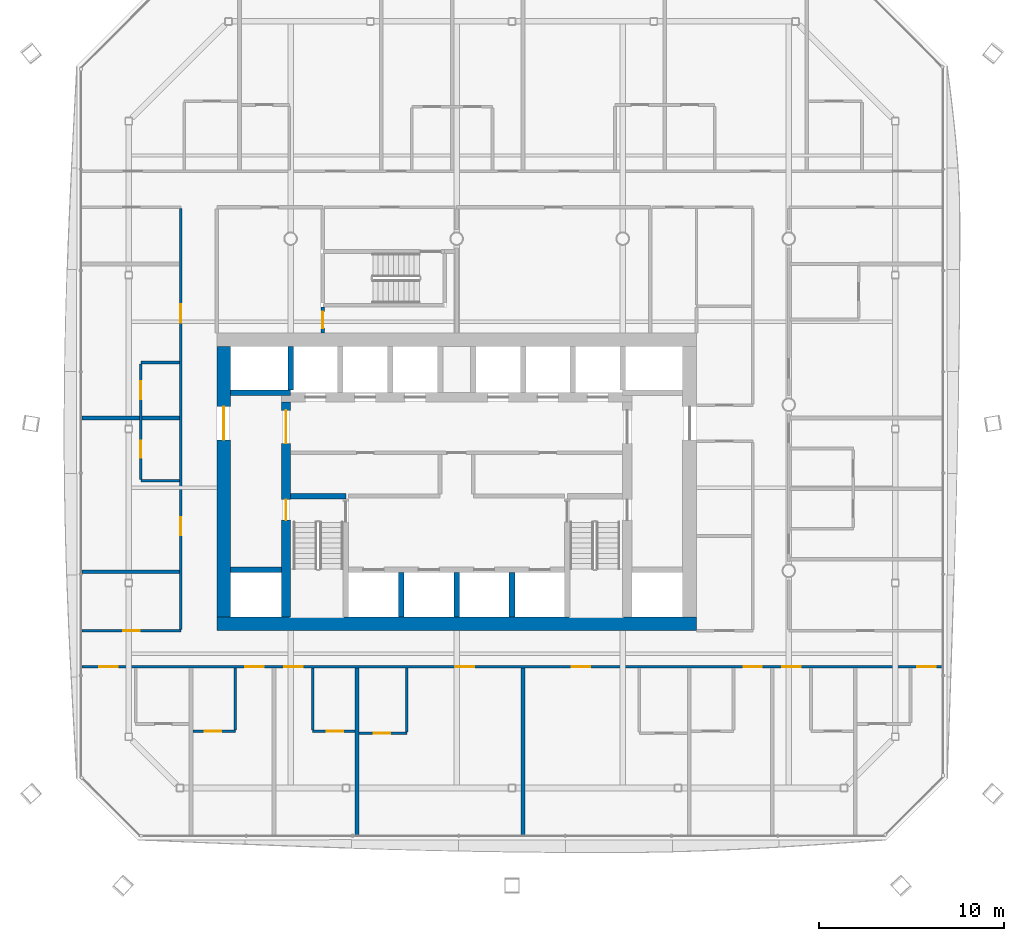
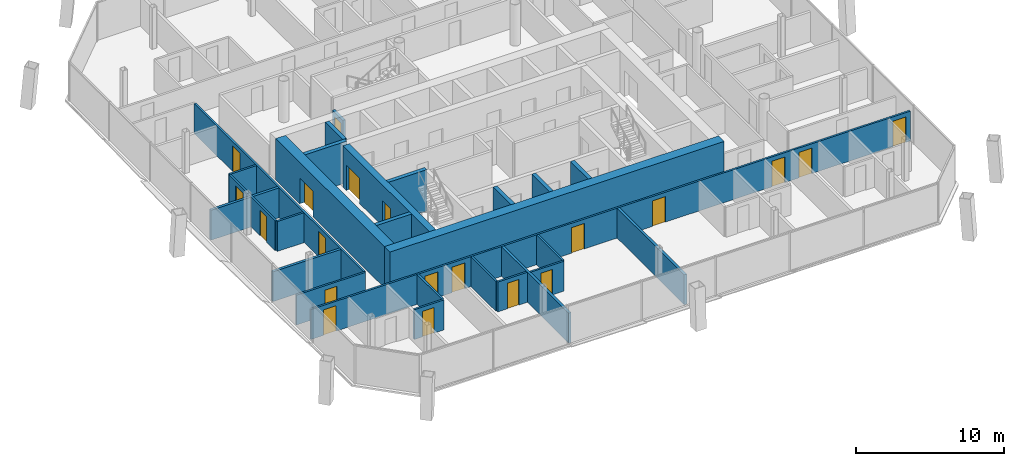
# One storey, part 12 of 21: 27 walls, 20 doors, 20 openings.
"""IFC4 building model written with IfcOpenShell, lengths in metres."""

from ifc_helpers import new_model, si_unit, direction, frame, frame_2d, origin, place, context, subcontext, project, spatial, rectangle, extrude, material, layer, layer_set, type_object, element, fill, save


model = new_model("IFC4")

# Units and contexts
model_context = context("Model", 3, precision=1e-05, world=origin(), true_north=direction((0.0, 1.0)))
body_context = subcontext(model_context, "Body", "Model", "MODEL_VIEW")
ifc_project = project(units=[si_unit("LENGTHUNIT", "METRE"), si_unit("AREAUNIT", "SQUARE_METRE"), si_unit("VOLUMEUNIT", "CUBIC_METRE"), si_unit("PLANEANGLEUNIT", "RADIAN"), si_unit("MASSUNIT", "GRAM", prefix="KILO")], contexts=[model_context])

# Site, building, storey
site_placement = place(None, origin())
site = spatial("IfcSite", under=ifc_project, at=site_placement, CompositionType="ELEMENT")
building_placement = place(site_placement, origin())
building = spatial("IfcBuilding", under=site, at=building_placement, Name="Tskaro Facet Tower", CompositionType="ELEMENT")
storey_placement = place(building_placement, frame((0.0, 0.0, 128.300048828125)))
storey = spatial("IfcBuildingStorey", under=building, at=storey_placement, Name="L30", CompositionType="ELEMENT", Elevation=128.300048828125)

# Walls
ifc_material_1 = material(Name="Concrete C60/75", Category="concrete")
ifc_layer_1 = layer(ifc_material_1, 0.300048828125, Name="Concrete C60/75")
ifc_layer_set_1 = layer_set([ifc_layer_1], Name="Concrete C60/75")
wall_type_1 = type_object("IfcWallType", Name="CORE-SHAFT", PredefinedType="SHEAR", material=ifc_layer_set_1)
wall_1_placement = place(storey_placement, frame((-12.25, -8.949951171875, 0.0), z_axis=(0.0, 0.0, 1.0), x_axis=(1.0, 0.0, 0.0)))
element("IfcWall", 1, at=wall_1_placement, inside=storey, type_object=wall_type_1, Name="Shaft wall W014", PredefinedType="SHEAR", context=body_context, shape_type="SweptSolid", body=[
    extrude(rectangle(XDim=2.75, YDim=0.300048828125, at=frame_2d((1.375, 0.0))), origin(), (0.0, 0.0, 1.0), 3.39990234375),
])
wall_2_placement = place(storey_placement, frame((-9.0, -4.949951171875, 0.0), z_axis=(0.0, 0.0, 1.0), x_axis=(1.0, 0.0, 0.0)))
element("IfcWall", 2, at=wall_2_placement, inside=storey, type_object=wall_type_1, Name="Shaft wall W020", PredefinedType="SHEAR", context=body_context, shape_type="SweptSolid", body=[
    extrude(rectangle(XDim=3.0, YDim=0.300048828125, at=frame_2d((1.5, 0.0))), origin(), (0.0, 0.0, 1.0), 3.39990234375),
])
wall_3_placement = place(storey_placement, frame((-9.0, 0.64990234375, 0.0), z_axis=(0.0, 0.0, 1.0), x_axis=(-1.0, 0.0, 0.0)))
element("IfcWall", 3, at=wall_3_placement, inside=storey, type_object=wall_type_1, Name="Shaft wall W032", PredefinedType="SHEAR", context=body_context, shape_type="SweptSolid", body=[
    extrude(rectangle(XDim=3.25, YDim=0.300048828125, at=frame_2d((1.625, 0.0))), origin(), (0.0, 0.0, 1.0), 3.39990234375),
])
wall_4_placement = place(storey_placement, frame((-9.0, 0.800048828125, 0.0), z_axis=(0.0, 0.0, 1.0), x_axis=(0.0, 1.0, 0.0)))
element("IfcWall", 4, at=wall_4_placement, inside=storey, type_object=wall_type_1, Name="Shaft wall W065", PredefinedType="SHEAR", context=body_context, shape_type="SweptSolid", body=[
    extrude(rectangle(XDim=2.349853515625, YDim=0.300048828125, at=frame_2d((1.1748046875, 0.0))), origin(), (0.0, 0.0, 1.0), 3.39990234375),
])
for number, where, z_axis, x_axis, name in (
    (5, (-3.0, -11.5, 0.0), (0.0, 0.0, 1.0), (0.0, 1.0, 0.0), "Shaft wall W075"),
    (6, (0.0, -11.5, 0.0), (0.0, 0.0, 1.0), (0.0, 1.0, 0.0), "Shaft wall W082"),
    (7, (3.0, -11.5, 0.0), (0.0, 0.0, 1.0), (0.0, 1.0, 0.0), "Shaft wall W088"),
):
    element("IfcWall", number, at=place(storey_placement, frame(where, z_axis=z_axis, x_axis=x_axis)), inside=storey, type_object=wall_type_1, Name=name, PredefinedType="SHEAR", context=body_context, shape_type="SweptSolid", body=[
        extrude(rectangle(XDim=2.39990234375, YDim=0.300048828125, at=frame_2d((1.199951171875, 0.0))), origin(), (0.0, 0.0, 1.0), 3.39990234375),
    ])

# Wall, openings, doors
ifc_material_2 = material(Name="Concrete C40/50", Category="concrete")
ifc_layer_2 = layer(ifc_material_2, 0.5, Name="Concrete C40/50")
ifc_layer_set_2 = layer_set([ifc_layer_2], Name="Concrete C40/50")
wall_type_2 = type_object("IfcWallType", Name="Core wall 500", PredefinedType="SHEAR", material=ifc_layer_set_2)
wall_5_placement = place(storey_placement, frame((-9.25, -11.5, 0.0), z_axis=(0.0, 0.0, 1.0), x_axis=(0.0, 1.0, 0.0)))
wall_5 = element("IfcWall", 8, at=wall_5_placement, inside=storey, type_object=wall_type_2, Name="Core wall CW-Z3W", PredefinedType="SHEAR", context=body_context, shape_type="SweptSolid", body=[
    extrude(rectangle(XDim=11.64990234375, YDim=0.5, at=frame_2d((5.824951171875, 0.0))), origin(), (0.0, 0.0, 1.0), 3.39990234375),
])
opening_1_placement = place(wall_5_placement, frame((9.39990234375, 0.0, 0.0)))
opening_1 = element("IfcOpeningElement", 9, at=opening_1_placement, cuts=wall_5, Name="Opening T8-D31", PredefinedType="OPENING", context=body_context, shape_type="SweptSolid", body=[
    extrude(rectangle(XDim=1.800048828125, YDim=2.10009765625, at=frame_2d((0.89990234375, 1.050048828125))), frame((0.0, 0.260009765625, 0.0), z_axis=(0.0, -1.0, 0.0), x_axis=(1.0, 0.0, 0.0)), (0.0, 0.0, 1.0), 0.52001953125),
])
opening_2_placement = place(wall_5_placement, frame((5.25, 0.0, 0.0)))
opening_2 = element("IfcOpeningElement", 10, at=opening_2_placement, cuts=wall_5, Name="Opening ST-1-D2", PredefinedType="OPENING", context=body_context, shape_type="SweptSolid", body=[
    extrude(rectangle(XDim=1.10009765625, YDim=2.10009765625, at=frame_2d((0.550048828125, 1.050048828125))), frame((0.0, 0.260009765625, 0.0), z_axis=(0.0, -1.0, 0.0), x_axis=(1.0, 0.0, 0.0)), (0.0, 0.0, 1.0), 0.52001953125),
])
ifc_material_3 = material(Name="Steel", Category="steel")
door_type_1 = type_object("IfcDoorType", Name="D-CORE-PAIR", OperationType="NOTDEFINED", PredefinedType="DOOR", material=ifc_material_3)
door_1_placement = place(opening_1_placement, origin())
door_1 = element("IfcDoor", 11, at=door_1_placement, inside=storey, type_object=door_type_1, Name="Door T8-D31", OperationType="DOUBLE_DOOR_SINGLE_SWING", OverallHeight=2.10009765625, OverallWidth=1.800048828125, PredefinedType="DOOR", context=body_context, shape_type="SweptSolid", body=[
    extrude(rectangle(XDim=1.800048828125, YDim=2.10009765625, at=frame_2d((0.89990234375, 1.050048828125))), frame((0.0, 0.02490234375, 0.0), z_axis=(0.0, -1.0, 0.0), x_axis=(1.0, 0.0, 0.0)), (0.0, 0.0, 1.0), 0.050048828125),
])
fill(opening_1, door_1)
door_type_2 = type_object("IfcDoorType", Name="D-STAIR", OperationType="NOTDEFINED", PredefinedType="DOOR", material=ifc_material_3)
door_2_placement = place(opening_2_placement, origin())
door_2 = element("IfcDoor", 12, at=door_2_placement, inside=storey, type_object=door_type_2, Name="Stair door 1 west", OperationType="SINGLE_SWING_LEFT", OverallHeight=2.10009765625, OverallWidth=1.10009765625, PredefinedType="DOOR", context=body_context, shape_type="SweptSolid", body=[
    extrude(rectangle(XDim=1.10009765625, YDim=2.10009765625, at=frame_2d((0.550048828125, 1.050048828125))), frame((0.0, 0.02490234375, 0.0), z_axis=(0.0, -1.0, 0.0), x_axis=(1.0, 0.0, 0.0)), (0.0, 0.0, 1.0), 0.050048828125),
])
fill(opening_2, door_2)

# Wall
ifc_material_4 = material(Name="Concrete C50/60", Category="concrete")
ifc_layer_3 = layer(ifc_material_4, 0.75, Name="Concrete C50/60")
ifc_layer_set_3 = layer_set([ifc_layer_3], Name="Concrete C50/60")
wall_type_3 = type_object("IfcWallType", Name="Core wall 750", PredefinedType="SHEAR", material=ifc_layer_set_3)
wall_6_placement = place(storey_placement, frame((-13.0, -11.875, 0.0), z_axis=(0.0, 0.0, 1.0), x_axis=(1.0, 0.0, 0.0)))
element("IfcWall", 13, at=wall_6_placement, inside=storey, type_object=wall_type_3, Name="Core wall CW-Z2S", PredefinedType="SHEAR", context=body_context, shape_type="SweptSolid", body=[
    extrude(rectangle(XDim=26.0, YDim=0.75, at=frame_2d((13.0, 0.0))), origin(), (0.0, 0.0, 1.0), 3.39990234375),
])

# Wall, opening, door
wall_7_placement = place(storey_placement, frame((-12.625, -11.5, 0.0), z_axis=(0.0, 0.0, 1.0), x_axis=(0.0, 1.0, 0.0)))
wall_7 = element("IfcWall", 14, at=wall_7_placement, inside=storey, type_object=wall_type_3, Name="Core wall CW-Z2W", PredefinedType="SHEAR", context=body_context, shape_type="SweptSolid", body=[
    extrude(rectangle(XDim=14.64990234375, YDim=0.75, at=frame_2d((7.324951171875, 0.0))), origin(), (0.0, 0.0, 1.0), 3.39990234375),
])
opening_3_placement = place(wall_7_placement, frame((9.60009765625, 0.0, 0.0)))
opening_3 = element("IfcOpeningElement", 15, at=opening_3_placement, cuts=wall_7, Name="Opening T8-D33", PredefinedType="OPENING", context=body_context, shape_type="SweptSolid", body=[
    extrude(rectangle(XDim=1.800048828125, YDim=2.10009765625, at=frame_2d((0.89990234375, 1.050048828125))), frame((0.0, 0.385009765625, 0.0), z_axis=(0.0, -1.0, 0.0), x_axis=(1.0, 0.0, 0.0)), (0.0, 0.0, 1.0), 0.77001953125),
])
door_3_placement = place(opening_3_placement, origin())
door_3 = element("IfcDoor", 16, at=door_3_placement, inside=storey, type_object=door_type_1, Name="Door T8-D33", OperationType="DOUBLE_DOOR_SINGLE_SWING", OverallHeight=2.10009765625, OverallWidth=1.800048828125, PredefinedType="DOOR", context=body_context, shape_type="SweptSolid", body=[
    extrude(rectangle(XDim=1.800048828125, YDim=2.10009765625, at=frame_2d((0.89990234375, 1.050048828125))), frame((0.0, 0.02490234375, 0.0), z_axis=(0.0, -1.0, 0.0), x_axis=(1.0, 0.0, 0.0)), (0.0, 0.0, 1.0), 0.050048828125),
])
fill(opening_3, door_3)

ifc_material_5 = material(Name="Gypsum board on steel studs", Category="steel")
ifc_layer_4 = layer(ifc_material_5, 0.14990234375, Name="Gypsum board on steel studs")
ifc_layer_set_4 = layer_set([ifc_layer_4], Name="Gypsum board on steel studs")
wall_type_4 = type_object("IfcWallType", Name="PART-CORR", PredefinedType="PARTITIONING", material=ifc_layer_set_4)
wall_8_placement = place(storey_placement, frame((-5.300048828125, -17.800048828125, 0.0), z_axis=(0.0, 0.0, 1.0), x_axis=(1.0, 0.0, 0.0)))
wall_8 = element("IfcWall", 17, at=wall_8_placement, inside=storey, type_object=wall_type_4, Name="Corridor wall W001", PredefinedType="PARTITIONING", context=body_context, shape_type="SweptSolid", body=[
    extrude(rectangle(XDim=2.60009765625, YDim=0.14990234375, at=frame_2d((1.300048828125, 0.0))), origin(), (0.0, 0.0, 1.0), 2.4599609375),
])
opening_4_placement = place(wall_8_placement, frame((0.800048828125, 0.0, 0.0)))
opening_4 = element("IfcOpeningElement", 18, at=opening_4_placement, cuts=wall_8, Name="Opening T8-D01", PredefinedType="OPENING", context=body_context, shape_type="SweptSolid", body=[
    extrude(rectangle(XDim=0.89990234375, YDim=2.10009765625, at=frame_2d((0.449951171875, 1.050048828125))), frame((0.0, 0.0849609375, 0.0), z_axis=(0.0, -1.0, 0.0), x_axis=(1.0, 0.0, 0.0)), (0.0, 0.0, 1.0), 0.169921875),
])
ifc_material_6 = material(Name="Timber", Category="wood")
door_type_3 = type_object("IfcDoorType", Name="D-ROOM", OperationType="NOTDEFINED", PredefinedType="DOOR", material=ifc_material_6)
door_4_placement = place(opening_4_placement, origin())
door_4 = element("IfcDoor", 19, at=door_4_placement, inside=storey, type_object=door_type_3, Name="Door T8-D01", OperationType="SINGLE_SWING_LEFT", OverallHeight=2.10009765625, OverallWidth=0.89990234375, PredefinedType="DOOR", context=body_context, shape_type="SweptSolid", body=[
    extrude(rectangle(XDim=0.89990234375, YDim=2.10009765625, at=frame_2d((0.449951171875, 1.050048828125))), frame((0.0, 0.02490234375, 0.0), z_axis=(0.0, -1.0, 0.0), x_axis=(1.0, 0.0, 0.0)), (0.0, 0.0, 1.0), 0.050048828125),
])
fill(opening_4, door_4)

wall_9_placement = place(storey_placement, frame((-14.299072265625, -17.699951171875, 0.0), z_axis=(0.0, 0.0, 1.0), x_axis=(1.0, 0.0, 0.0)))
wall_9 = element("IfcWall", 20, at=wall_9_placement, inside=storey, type_object=wall_type_4, Name="Corridor wall W003", PredefinedType="PARTITIONING", context=body_context, shape_type="SweptSolid", body=[
    extrude(rectangle(XDim=2.300048828125, YDim=0.14990234375, at=frame_2d((1.14990234375, 0.0))), origin(), (0.0, 0.0, 1.0), 2.4599609375),
])
opening_5_placement = place(wall_9_placement, frame((0.64990234375, 0.0, 0.0)))
opening_5 = element("IfcOpeningElement", 21, at=opening_5_placement, cuts=wall_9, Name="Opening T8-D03", PredefinedType="OPENING", context=body_context, shape_type="SweptSolid", body=[
    extrude(rectangle(XDim=0.89990234375, YDim=2.10009765625, at=frame_2d((0.449951171875, 1.050048828125))), frame((0.0, 0.0849609375, 0.0), z_axis=(0.0, -1.0, 0.0), x_axis=(1.0, 0.0, 0.0)), (0.0, 0.0, 1.0), 0.169921875),
])
door_5_placement = place(opening_5_placement, origin())
door_5 = element("IfcDoor", 22, at=door_5_placement, inside=storey, type_object=door_type_3, Name="Door T8-D03", OperationType="SINGLE_SWING_LEFT", OverallHeight=2.10009765625, OverallWidth=0.89990234375, PredefinedType="DOOR", context=body_context, shape_type="SweptSolid", body=[
    extrude(rectangle(XDim=0.89990234375, YDim=2.10009765625, at=frame_2d((0.449951171875, 1.050048828125))), frame((0.0, 0.02490234375, 0.0), z_axis=(0.0, -1.0, 0.0), x_axis=(1.0, 0.0, 0.0)), (0.0, 0.0, 1.0), 0.050048828125),
])
fill(opening_5, door_5)

wall_10_placement = place(storey_placement, frame((-7.800048828125, -17.699951171875, 0.0), z_axis=(0.0, 0.0, 1.0), x_axis=(1.0, 0.0, 0.0)))
wall_10 = element("IfcWall", 23, at=wall_10_placement, inside=storey, type_object=wall_type_4, Name="Corridor wall W004", PredefinedType="PARTITIONING", context=body_context, shape_type="SweptSolid", body=[
    extrude(rectangle(XDim=2.300048828125, YDim=0.14990234375, at=frame_2d((1.14990234375, 0.0))), origin(), (0.0, 0.0, 1.0), 2.4599609375),
])
opening_6_placement = place(wall_10_placement, frame((0.75, 0.0, 0.0)))
opening_6 = element("IfcOpeningElement", 24, at=opening_6_placement, cuts=wall_10, Name="Opening T8-D04", PredefinedType="OPENING", context=body_context, shape_type="SweptSolid", body=[
    extrude(rectangle(XDim=0.89990234375, YDim=2.10009765625, at=frame_2d((0.449951171875, 1.050048828125))), frame((0.0, 0.0849609375, 0.0), z_axis=(0.0, -1.0, 0.0), x_axis=(1.0, 0.0, 0.0)), (0.0, 0.0, 1.0), 0.169921875),
])
door_6_placement = place(opening_6_placement, origin())
door_6 = element("IfcDoor", 25, at=door_6_placement, inside=storey, type_object=door_type_3, Name="Door T8-D04", OperationType="SINGLE_SWING_LEFT", OverallHeight=2.10009765625, OverallWidth=0.89990234375, PredefinedType="DOOR", context=body_context, shape_type="SweptSolid", body=[
    extrude(rectangle(XDim=0.89990234375, YDim=2.10009765625, at=frame_2d((0.449951171875, 1.050048828125))), frame((0.0, 0.02490234375, 0.0), z_axis=(0.0, -1.0, 0.0), x_axis=(1.0, 0.0, 0.0)), (0.0, 0.0, 1.0), 0.050048828125),
])
fill(opening_6, door_6)

# Wall, openings, doors
wall_11_placement = place(storey_placement, frame((26.31689453125, -14.199951171875, 0.0), z_axis=(0.0, 0.0, 1.0), x_axis=(-1.0, 0.0, 0.0)))
wall_11 = element("IfcWall", 26, at=wall_11_placement, inside=storey, type_object=wall_type_4, Name="Corridor wall W009", PredefinedType="PARTITIONING", context=body_context, shape_type="SweptSolid", body=[
    extrude(rectangle(XDim=46.6337890625, YDim=0.14990234375, at=frame_2d((23.31689453125, 0.0))), origin(), (0.0, 0.0, 1.0), 2.4599609375),
])
opening_7_placement = place(wall_11_placement, frame((44.675048828125, 0.0, 0.0)))
opening_7 = element("IfcOpeningElement", 27, at=opening_7_placement, cuts=wall_11, Name="Opening T8-D09", PredefinedType="OPENING", context=body_context, shape_type="SweptSolid", body=[
    extrude(rectangle(XDim=1.0, YDim=2.10009765625, at=frame_2d((0.5, 1.050048828125))), frame((0.0, 0.0849609375, 0.0), z_axis=(0.0, -1.0, 0.0), x_axis=(1.0, 0.0, 0.0)), (0.0, 0.0, 1.0), 0.169921875),
])
opening_8_placement = place(wall_11_placement, frame((36.76611328125, 0.0, 0.0)))
opening_8 = element("IfcOpeningElement", 28, at=opening_8_placement, cuts=wall_11, Name="Opening T8-D10", PredefinedType="OPENING", context=body_context, shape_type="SweptSolid", body=[
    extrude(rectangle(XDim=1.0, YDim=2.10009765625, at=frame_2d((0.5, 1.050048828125))), frame((0.0, 0.0849609375, 0.0), z_axis=(0.0, -1.0, 0.0), x_axis=(1.0, 0.0, 0.0)), (0.0, 0.0, 1.0), 0.169921875),
])
opening_9_placement = place(wall_11_placement, frame((34.66650390625, 0.0, 0.0)))
opening_9 = element("IfcOpeningElement", 29, at=opening_9_placement, cuts=wall_11, Name="Opening T8-D11", PredefinedType="OPENING", context=body_context, shape_type="SweptSolid", body=[
    extrude(rectangle(XDim=1.0, YDim=2.10009765625, at=frame_2d((0.5, 1.050048828125))), frame((0.0, 0.0849609375, 0.0), z_axis=(0.0, -1.0, 0.0), x_axis=(1.0, 0.0, 0.0)), (0.0, 0.0, 1.0), 0.169921875),
])
opening_10_placement = place(wall_11_placement, frame((25.366943359375, 0.0, 0.0)))
opening_10 = element("IfcOpeningElement", 30, at=opening_10_placement, cuts=wall_11, Name="Opening T8-D12", PredefinedType="OPENING", context=body_context, shape_type="SweptSolid", body=[
    extrude(rectangle(XDim=1.0, YDim=2.10009765625, at=frame_2d((0.5, 1.050048828125))), frame((0.0, 0.0849609375, 0.0), z_axis=(0.0, -1.0, 0.0), x_axis=(1.0, 0.0, 0.0)), (0.0, 0.0, 1.0), 0.169921875),
])
opening_11_placement = place(wall_11_placement, frame((19.06689453125, 0.0, 0.0)))
opening_11 = element("IfcOpeningElement", 31, at=opening_11_placement, cuts=wall_11, Name="Opening T8-D13", PredefinedType="OPENING", context=body_context, shape_type="SweptSolid", body=[
    extrude(rectangle(XDim=1.0, YDim=2.10009765625, at=frame_2d((0.5, 1.050048828125))), frame((0.0, 0.0849609375, 0.0), z_axis=(0.0, -1.0, 0.0), x_axis=(1.0, 0.0, 0.0)), (0.0, 0.0, 1.0), 0.169921875),
])
opening_12_placement = place(wall_11_placement, frame((9.767578125, 0.0, 0.0)))
opening_12 = element("IfcOpeningElement", 32, at=opening_12_placement, cuts=wall_11, Name="Opening T8-D14", PredefinedType="OPENING", context=body_context, shape_type="SweptSolid", body=[
    extrude(rectangle(XDim=1.0, YDim=2.10009765625, at=frame_2d((0.5, 1.050048828125))), frame((0.0, 0.0849609375, 0.0), z_axis=(0.0, -1.0, 0.0), x_axis=(1.0, 0.0, 0.0)), (0.0, 0.0, 1.0), 0.169921875),
])
opening_13_placement = place(wall_11_placement, frame((7.66796875, 0.0, 0.0)))
opening_13 = element("IfcOpeningElement", 33, at=opening_13_placement, cuts=wall_11, Name="Opening T8-D15", PredefinedType="OPENING", context=body_context, shape_type="SweptSolid", body=[
    extrude(rectangle(XDim=1.0, YDim=2.10009765625, at=frame_2d((0.5, 1.050048828125))), frame((0.0, 0.0849609375, 0.0), z_axis=(0.0, -1.0, 0.0), x_axis=(1.0, 0.0, 0.0)), (0.0, 0.0, 1.0), 0.169921875),
])
opening_14_placement = place(wall_11_placement, frame((0.35888671875, 0.0, 0.0)))
opening_14 = element("IfcOpeningElement", 34, at=opening_14_placement, cuts=wall_11, Name="Opening T8-D16", PredefinedType="OPENING", context=body_context, shape_type="SweptSolid", body=[
    extrude(rectangle(XDim=1.0, YDim=2.10009765625, at=frame_2d((0.5, 1.050048828125))), frame((0.0, 0.0849609375, 0.0), z_axis=(0.0, -1.0, 0.0), x_axis=(1.0, 0.0, 0.0)), (0.0, 0.0, 1.0), 0.169921875),
])
door_type_4 = type_object("IfcDoorType", Name="D-ENTRY", OperationType="NOTDEFINED", PredefinedType="DOOR", material=ifc_material_6)
door_7_placement = place(opening_7_placement, origin())
door_7 = element("IfcDoor", 35, at=door_7_placement, inside=storey, type_object=door_type_4, Name="Door T8-D09", OperationType="SINGLE_SWING_LEFT", OverallHeight=2.10009765625, OverallWidth=1.0, PredefinedType="DOOR", context=body_context, shape_type="SweptSolid", body=[
    extrude(rectangle(XDim=1.0, YDim=2.10009765625, at=frame_2d((0.5, 1.050048828125))), frame((0.0, 0.02490234375, 0.0), z_axis=(0.0, -1.0, 0.0), x_axis=(1.0, 0.0, 0.0)), (0.0, 0.0, 1.0), 0.050048828125),
])
fill(opening_7, door_7)
door_8_placement = place(opening_8_placement, origin())
door_8 = element("IfcDoor", 36, at=door_8_placement, inside=storey, type_object=door_type_4, Name="Door T8-D10", OperationType="SINGLE_SWING_RIGHT", OverallHeight=2.10009765625, OverallWidth=1.0, PredefinedType="DOOR", context=body_context, shape_type="SweptSolid", body=[
    extrude(rectangle(XDim=1.0, YDim=2.10009765625, at=frame_2d((0.5, 1.050048828125))), frame((0.0, 0.02490234375, 0.0), z_axis=(0.0, -1.0, 0.0), x_axis=(1.0, 0.0, 0.0)), (0.0, 0.0, 1.0), 0.050048828125),
])
fill(opening_8, door_8)
door_9_placement = place(opening_9_placement, origin())
door_9 = element("IfcDoor", 37, at=door_9_placement, inside=storey, type_object=door_type_4, Name="Door T8-D11", OperationType="SINGLE_SWING_RIGHT", OverallHeight=2.10009765625, OverallWidth=1.0, PredefinedType="DOOR", context=body_context, shape_type="SweptSolid", body=[
    extrude(rectangle(XDim=1.0, YDim=2.10009765625, at=frame_2d((0.5, 1.050048828125))), frame((0.0, 0.02490234375, 0.0), z_axis=(0.0, -1.0, 0.0), x_axis=(1.0, 0.0, 0.0)), (0.0, 0.0, 1.0), 0.050048828125),
])
fill(opening_9, door_9)
door_10_placement = place(opening_10_placement, origin())
door_10 = element("IfcDoor", 38, at=door_10_placement, inside=storey, type_object=door_type_4, Name="Door T8-D12", OperationType="SINGLE_SWING_LEFT", OverallHeight=2.10009765625, OverallWidth=1.0, PredefinedType="DOOR", context=body_context, shape_type="SweptSolid", body=[
    extrude(rectangle(XDim=1.0, YDim=2.10009765625, at=frame_2d((0.5, 1.050048828125))), frame((0.0, 0.02490234375, 0.0), z_axis=(0.0, -1.0, 0.0), x_axis=(1.0, 0.0, 0.0)), (0.0, 0.0, 1.0), 0.050048828125),
])
fill(opening_10, door_10)
door_11_placement = place(opening_11_placement, origin())
door_11 = element("IfcDoor", 39, at=door_11_placement, inside=storey, type_object=door_type_4, Name="Door T8-D13", OperationType="SINGLE_SWING_LEFT", OverallHeight=2.10009765625, OverallWidth=1.0, PredefinedType="DOOR", context=body_context, shape_type="SweptSolid", body=[
    extrude(rectangle(XDim=1.0, YDim=2.10009765625, at=frame_2d((0.5, 1.050048828125))), frame((0.0, 0.02490234375, 0.0), z_axis=(0.0, -1.0, 0.0), x_axis=(1.0, 0.0, 0.0)), (0.0, 0.0, 1.0), 0.050048828125),
])
fill(opening_11, door_11)
door_12_placement = place(opening_12_placement, origin())
door_12 = element("IfcDoor", 40, at=door_12_placement, inside=storey, type_object=door_type_4, Name="Door T8-D14", OperationType="SINGLE_SWING_RIGHT", OverallHeight=2.10009765625, OverallWidth=1.0, PredefinedType="DOOR", context=body_context, shape_type="SweptSolid", body=[
    extrude(rectangle(XDim=1.0, YDim=2.10009765625, at=frame_2d((0.5, 1.050048828125))), frame((0.0, 0.02490234375, 0.0), z_axis=(0.0, -1.0, 0.0), x_axis=(1.0, 0.0, 0.0)), (0.0, 0.0, 1.0), 0.050048828125),
])
fill(opening_12, door_12)
door_13_placement = place(opening_13_placement, origin())
door_13 = element("IfcDoor", 41, at=door_13_placement, inside=storey, type_object=door_type_4, Name="Door T8-D15", OperationType="SINGLE_SWING_RIGHT", OverallHeight=2.10009765625, OverallWidth=1.0, PredefinedType="DOOR", context=body_context, shape_type="SweptSolid", body=[
    extrude(rectangle(XDim=1.0, YDim=2.10009765625, at=frame_2d((0.5, 1.050048828125))), frame((0.0, 0.02490234375, 0.0), z_axis=(0.0, -1.0, 0.0), x_axis=(1.0, 0.0, 0.0)), (0.0, 0.0, 1.0), 0.050048828125),
])
fill(opening_13, door_13)
door_14_placement = place(opening_14_placement, origin())
door_14 = element("IfcDoor", 42, at=door_14_placement, inside=storey, type_object=door_type_4, Name="Door T8-D16", OperationType="SINGLE_SWING_LEFT", OverallHeight=2.10009765625, OverallWidth=1.0, PredefinedType="DOOR", context=body_context, shape_type="SweptSolid", body=[
    extrude(rectangle(XDim=1.0, YDim=2.10009765625, at=frame_2d((0.5, 1.050048828125))), frame((0.0, 0.02490234375, 0.0), z_axis=(0.0, -1.0, 0.0), x_axis=(1.0, 0.0, 0.0)), (0.0, 0.0, 1.0), 0.050048828125),
])
fill(opening_14, door_14)

# Wall, opening, door
wall_12_placement = place(storey_placement, frame((-20.31689453125, -12.25, 0.0), z_axis=(0.0, 0.0, 1.0), x_axis=(1.0, 0.0, 0.0)))
wall_12 = element("IfcWall", 43, at=wall_12_placement, inside=storey, type_object=wall_type_4, Name="Corridor wall W010", PredefinedType="PARTITIONING", context=body_context, shape_type="SweptSolid", body=[
    extrude(rectangle(XDim=5.366943359375, YDim=0.14990234375, at=frame_2d((2.68359375, 0.0))), origin(), (0.0, 0.0, 1.0), 2.4599609375),
])
opening_15_placement = place(wall_12_placement, frame((2.2333984375, 0.0, 0.0)))
opening_15 = element("IfcOpeningElement", 44, at=opening_15_placement, cuts=wall_12, Name="Opening T8-D17", PredefinedType="OPENING", context=body_context, shape_type="SweptSolid", body=[
    extrude(rectangle(XDim=0.89990234375, YDim=2.10009765625, at=frame_2d((0.449951171875, 1.050048828125))), frame((0.0, 0.0849609375, 0.0), z_axis=(0.0, -1.0, 0.0), x_axis=(1.0, 0.0, 0.0)), (0.0, 0.0, 1.0), 0.169921875),
])
door_15_placement = place(opening_15_placement, origin())
door_15 = element("IfcDoor", 45, at=door_15_placement, inside=storey, type_object=door_type_3, Name="Door T8-D17", OperationType="SINGLE_SWING_LEFT", OverallHeight=2.10009765625, OverallWidth=0.89990234375, PredefinedType="DOOR", context=body_context, shape_type="SweptSolid", body=[
    extrude(rectangle(XDim=0.89990234375, YDim=2.10009765625, at=frame_2d((0.449951171875, 1.050048828125))), frame((0.0, 0.02490234375, 0.0), z_axis=(0.0, -1.0, 0.0), x_axis=(1.0, 0.0, 0.0)), (0.0, 0.0, 1.0), 0.050048828125),
])
fill(opening_15, door_15)

# Walls
for number, where, z_axis, x_axis, name in (
    (46, (-17.1201171875, -4.114990234375, 0.0), (0.0, 0.0, 1.0), (1.0, 0.0, 0.0), "Corridor wall W025"),
    (47, (-17.1201171875, 2.284912109375, 0.0), (0.0, 0.0, 1.0), (1.0, 0.0, 0.0), "Corridor wall W034"),
):
    element("IfcWall", number, at=place(storey_placement, frame(where, z_axis=z_axis, x_axis=x_axis)), inside=storey, type_object=wall_type_4, Name=name, PredefinedType="PARTITIONING", context=body_context, shape_type="SweptSolid", body=[
        extrude(rectangle(XDim=2.09521484375, YDim=0.14990234375, at=frame_2d((1.047607421875, 0.0))), origin(), (0.0, 0.0, 1.0), 2.4599609375),
    ])

# Wall, openings, doors
wall_13_placement = place(storey_placement, frame((-17.1201171875, 2.2099609375, 0.0), z_axis=(0.0, 0.0, 1.0), x_axis=(0.0, -1.0, 0.0)))
wall_13 = element("IfcWall", 48, at=wall_13_placement, inside=storey, type_object=wall_type_4, Name="Corridor wall W056", PredefinedType="PARTITIONING", context=body_context, shape_type="SweptSolid", body=[
    extrude(rectangle(XDim=6.25, YDim=0.14990234375, at=frame_2d((3.125, 0.0))), origin(), (0.0, 0.0, 1.0), 2.4599609375),
])
opening_16_placement = place(wall_13_placement, frame((4.175048828125, 0.0, 0.0)))
opening_16 = element("IfcOpeningElement", 49, at=opening_16_placement, cuts=wall_13, Name="Opening T8-D28", PredefinedType="OPENING", context=body_context, shape_type="SweptSolid", body=[
    extrude(rectangle(XDim=0.89990234375, YDim=2.10009765625, at=frame_2d((0.449951171875, 1.050048828125))), frame((0.0, 0.0849609375, 0.0), z_axis=(0.0, -1.0, 0.0), x_axis=(1.0, 0.0, 0.0)), (0.0, 0.0, 1.0), 0.169921875),
])
opening_17_placement = place(wall_13_placement, frame((0.925048828125, 0.0, 0.0)))
opening_17 = element("IfcOpeningElement", 50, at=opening_17_placement, cuts=wall_13, Name="Opening T8-D38", PredefinedType="OPENING", context=body_context, shape_type="SweptSolid", body=[
    extrude(rectangle(XDim=1.0, YDim=2.10009765625, at=frame_2d((0.5, 1.050048828125))), frame((0.0, 0.0849609375, 0.0), z_axis=(0.0, -1.0, 0.0), x_axis=(1.0, 0.0, 0.0)), (0.0, 0.0, 1.0), 0.169921875),
])
door_16_placement = place(opening_16_placement, origin())
door_16 = element("IfcDoor", 51, at=door_16_placement, inside=storey, type_object=door_type_3, Name="Door T8-D28", OperationType="SINGLE_SWING_RIGHT", OverallHeight=2.10009765625, OverallWidth=0.89990234375, PredefinedType="DOOR", context=body_context, shape_type="SweptSolid", body=[
    extrude(rectangle(XDim=0.89990234375, YDim=2.10009765625, at=frame_2d((0.449951171875, 1.050048828125))), frame((0.0, 0.02490234375, 0.0), z_axis=(0.0, -1.0, 0.0), x_axis=(1.0, 0.0, 0.0)), (0.0, 0.0, 1.0), 0.050048828125),
])
fill(opening_16, door_16)
door_type_5 = type_object("IfcDoorType", Name="D-ROOM-WIDE", OperationType="NOTDEFINED", PredefinedType="DOOR", material=ifc_material_6)
door_17_placement = place(opening_17_placement, origin())
door_17 = element("IfcDoor", 52, at=door_17_placement, inside=storey, type_object=door_type_5, Name="Door T8-D38", OperationType="SINGLE_SWING_RIGHT", OverallHeight=2.10009765625, OverallWidth=1.0, PredefinedType="DOOR", context=body_context, shape_type="SweptSolid", body=[
    extrude(rectangle(XDim=1.0, YDim=2.10009765625, at=frame_2d((0.5, 1.050048828125))), frame((0.0, 0.02490234375, 0.0), z_axis=(0.0, -1.0, 0.0), x_axis=(1.0, 0.0, 0.0)), (0.0, 0.0, 1.0), 0.050048828125),
])
fill(opening_17, door_17)

wall_14_placement = place(storey_placement, frame((-14.949951171875, -12.175048828125, 0.0), z_axis=(0.0, 0.0, 1.0), x_axis=(0.0, 1.0, 0.0)))
wall_14 = element("IfcWall", 53, at=wall_14_placement, inside=storey, type_object=wall_type_4, Name="Corridor wall W057", PredefinedType="PARTITIONING", context=body_context, shape_type="SweptSolid", body=[
    extrude(rectangle(XDim=22.800048828125, YDim=0.14990234375, at=frame_2d((11.39990234375, 0.0))), origin(), (0.0, 0.0, 1.0), 2.4599609375),
])
opening_18_placement = place(wall_14_placement, frame((5.089111328125, 0.0, 0.0)))
opening_18 = element("IfcOpeningElement", 54, at=opening_18_placement, cuts=wall_14, Name="Opening T8-D23", PredefinedType="OPENING", context=body_context, shape_type="SweptSolid", body=[
    extrude(rectangle(XDim=1.0, YDim=2.10009765625, at=frame_2d((0.5, 1.050048828125))), frame((0.0, 0.0849609375, 0.0), z_axis=(0.0, -1.0, 0.0), x_axis=(1.0, 0.0, 0.0)), (0.0, 0.0, 1.0), 0.169921875),
])
opening_19_placement = place(wall_14_placement, frame((16.630615234375, 0.0, 0.0)))
opening_19 = element("IfcOpeningElement", 55, at=opening_19_placement, cuts=wall_14, Name="Opening T8-D41", PredefinedType="OPENING", context=body_context, shape_type="SweptSolid", body=[
    extrude(rectangle(XDim=1.0, YDim=2.10009765625, at=frame_2d((0.5, 1.050048828125))), frame((0.0, 0.0849609375, 0.0), z_axis=(0.0, -1.0, 0.0), x_axis=(1.0, 0.0, 0.0)), (0.0, 0.0, 1.0), 0.169921875),
])
door_18_placement = place(opening_18_placement, origin())
door_18 = element("IfcDoor", 56, at=door_18_placement, inside=storey, type_object=door_type_4, Name="Door T8-D23", OperationType="SINGLE_SWING_RIGHT", OverallHeight=2.10009765625, OverallWidth=1.0, PredefinedType="DOOR", context=body_context, shape_type="SweptSolid", body=[
    extrude(rectangle(XDim=1.0, YDim=2.10009765625, at=frame_2d((0.5, 1.050048828125))), frame((0.0, 0.02490234375, 0.0), z_axis=(0.0, -1.0, 0.0), x_axis=(1.0, 0.0, 0.0)), (0.0, 0.0, 1.0), 0.050048828125),
])
fill(opening_18, door_18)
door_19_placement = place(opening_19_placement, origin())
door_19 = element("IfcDoor", 57, at=door_19_placement, inside=storey, type_object=door_type_4, Name="Door T8-D41", OperationType="SINGLE_SWING_LEFT", OverallHeight=2.10009765625, OverallWidth=1.0, PredefinedType="DOOR", context=body_context, shape_type="SweptSolid", body=[
    extrude(rectangle(XDim=1.0, YDim=2.10009765625, at=frame_2d((0.5, 1.050048828125))), frame((0.0, 0.02490234375, 0.0), z_axis=(0.0, -1.0, 0.0), x_axis=(1.0, 0.0, 0.0)), (0.0, 0.0, 1.0), 0.050048828125),
])
fill(opening_19, door_19)

# Walls
for number, where, z_axis, x_axis, name in (
    (58, (-11.9990234375, -17.625, 0.0), (0.0, 0.0, 1.0), (0.0, 1.0, 0.0), "Corridor wall W061"),
    (59, (-7.800048828125, -17.625, 0.0), (0.0, 0.0, 1.0), (0.0, 1.0, 0.0), "Corridor wall W066"),
):
    element("IfcWall", number, at=place(storey_placement, frame(where, z_axis=z_axis, x_axis=x_axis)), inside=storey, type_object=wall_type_4, Name=name, PredefinedType="PARTITIONING", context=body_context, shape_type="SweptSolid", body=[
        extrude(rectangle(XDim=3.35009765625, YDim=0.14990234375, at=frame_2d((1.675048828125, 0.0))), origin(), (0.0, 0.0, 1.0), 2.4599609375),
    ])
wall_15_placement = place(storey_placement, frame((-2.699951171875, -17.72509765625, 0.0), z_axis=(0.0, 0.0, 1.0), x_axis=(0.0, 1.0, 0.0)))
element("IfcWall", 60, at=wall_15_placement, inside=storey, type_object=wall_type_4, Name="Corridor wall W076", PredefinedType="PARTITIONING", context=body_context, shape_type="SweptSolid", body=[
    extrude(rectangle(XDim=3.4501953125, YDim=0.14990234375, at=frame_2d((1.72509765625, 0.0))), origin(), (0.0, 0.0, 1.0), 2.4599609375),
])
ifc_layer_5 = layer(ifc_material_5, 0.199951171875, Name="Gypsum board on steel studs")
ifc_layer_set_5 = layer_set([ifc_layer_5], Name="Gypsum board on steel studs")
wall_type_5 = type_object("IfcWallType", Name="PART-DEMISING", PredefinedType="PARTITIONING", material=ifc_layer_set_5)
for number, where, z_axis, x_axis, name in (
    (61, (-20.31689453125, -9.056884765625, 0.0), (0.0, 0.0, 1.0), (1.0, 0.0, 0.0), "Guest room wall W013"),
    (62, (-20.31689453125, -0.715087890625, 0.0), (0.0, 0.0, 1.0), (1.0, 0.0, 0.0), "Guest room wall W030"),
):
    element("IfcWall", number, at=place(storey_placement, frame(where, z_axis=z_axis, x_axis=x_axis)), inside=storey, type_object=wall_type_5, Name=name, PredefinedType="PARTITIONING", context=body_context, shape_type="SweptSolid", body=[
        extrude(rectangle(XDim=5.2919921875, YDim=0.199951171875, at=frame_2d((2.64599609375, 0.0))), origin(), (0.0, 0.0, 1.0), 2.4599609375),
    ])
for number, where, z_axis, x_axis, name in (
    (63, (-5.39990234375, -23.31689453125, 0.0), (0.0, 0.0, 1.0), (0.0, 1.0, 0.0), "Guest room wall W072"),
    (64, (3.60009765625, -23.31689453125, 0.0), (0.0, 0.0, 1.0), (0.0, 1.0, 0.0), "Guest room wall W089"),
):
    element("IfcWall", number, at=place(storey_placement, frame(where, z_axis=z_axis, x_axis=x_axis)), inside=storey, type_object=wall_type_5, Name=name, PredefinedType="PARTITIONING", context=body_context, shape_type="SweptSolid", body=[
        extrude(rectangle(XDim=9.0419921875, YDim=0.199951171875, at=frame_2d((4.52099609375, 0.0))), origin(), (0.0, 0.0, 1.0), 2.4599609375),
    ])

# Wall, opening, door
ifc_material_7 = material(Name="Concrete C20/25", Category="concrete")
ifc_layer_6 = layer(ifc_material_7, 0.199951171875, Name="Concrete C20/25")
ifc_layer_set_6 = layer_set([ifc_layer_6], Name="Concrete C20/25")
wall_type_6 = type_object("IfcWallType", Name="WALL-RISER", PredefinedType="SOLIDWALL", material=ifc_layer_set_6)
wall_16_placement = place(storey_placement, frame((-7.25, 5.300048828125, 0.0), z_axis=(0.0, 0.0, 1.0), x_axis=(0.0, -1.0, 0.0)))
wall_16 = element("IfcWall", 65, at=wall_16_placement, inside=storey, type_object=wall_type_6, Name="Riser room wall W067", PredefinedType="SOLIDWALL", context=body_context, shape_type="SweptSolid", body=[
    extrude(rectangle(XDim=1.400146484375, YDim=0.199951171875, at=frame_2d((0.7001953125, 0.0))), origin(), (0.0, 0.0, 1.0), 2.4599609375),
])
opening_20_placement = place(wall_16_placement, frame((0.25, 0.0, 0.0)))
opening_20 = element("IfcOpeningElement", 66, at=opening_20_placement, cuts=wall_16, Name="Opening T8-D40", PredefinedType="OPENING", context=body_context, shape_type="SweptSolid", body=[
    extrude(rectangle(XDim=0.89990234375, YDim=2.10009765625, at=frame_2d((0.449951171875, 1.050048828125))), frame((0.0, 0.10986328125, 0.0), z_axis=(0.0, -1.0, 0.0), x_axis=(1.0, 0.0, 0.0)), (0.0, 0.0, 1.0), 0.219970703125),
])
door_type_6 = type_object("IfcDoorType", Name="D-RISER", OperationType="NOTDEFINED", PredefinedType="DOOR", material=ifc_material_3)
door_20_placement = place(opening_20_placement, origin())
door_20 = element("IfcDoor", 67, at=door_20_placement, inside=storey, type_object=door_type_6, Name="Door T8-D40", OperationType="SINGLE_SWING_RIGHT", OverallHeight=2.10009765625, OverallWidth=0.89990234375, PredefinedType="DOOR", context=body_context, shape_type="SweptSolid", body=[
    extrude(rectangle(XDim=0.89990234375, YDim=2.10009765625, at=frame_2d((0.449951171875, 1.050048828125))), frame((0.0, 0.02490234375, 0.0), z_axis=(0.0, -1.0, 0.0), x_axis=(1.0, 0.0, 0.0)), (0.0, 0.0, 1.0), 0.050048828125),
])
fill(opening_20, door_20)

save(model, "model.ifc")
